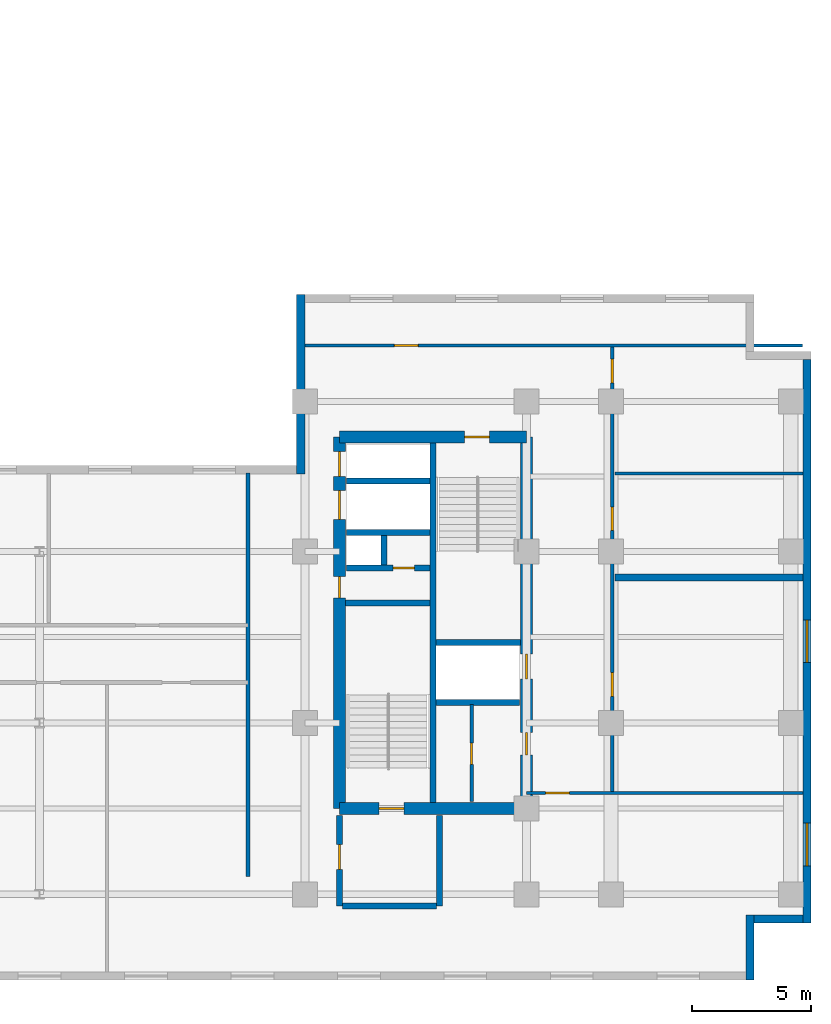
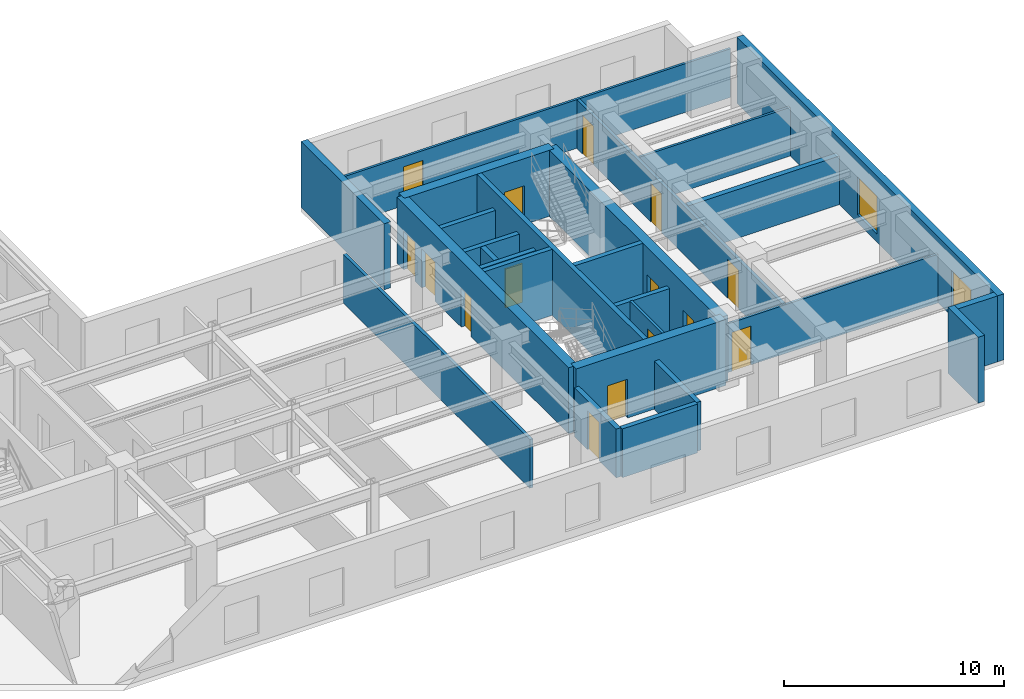
# One storey, part 5 of 10: 26 walls, 15 doors, 2 windows, 17 openings.
"""IFC4 building model written with IfcOpenShell, lengths in metres."""

from ifc_helpers import new_model, entity, si_unit, converted_unit, direction, frame, origin_with_axes, origin_2d_with_axis, place, context, subcontext, project, spatial, polyline, rectangle, outline, extrude, material, layer, layer_set, type_object, element, fill, save


model = new_model("IFC4")

# Units and contexts
model_context = context("Model", 3, precision=1e-05, world=origin_with_axes(), true_north=direction((0.0, 1.0)))
body_context = subcontext(model_context, "Body", "Model", "MODEL_VIEW")
ifc_project = project(units=[si_unit("LENGTHUNIT", "METRE"), si_unit("AREAUNIT", "SQUARE_METRE"), si_unit("VOLUMEUNIT", "CUBIC_METRE"), converted_unit("PLANEANGLEUNIT", "DEGREE", entity("IfcPlaneAngleMeasure", 0.017453292519943295), si_unit("PLANEANGLEUNIT", "RADIAN"), dimensions=[0, 0, 0, 0, 0, 0, 0]), si_unit("MASSUNIT", "GRAM", prefix="KILO"), si_unit("THERMODYNAMICTEMPERATUREUNIT", "KELVIN")], contexts=[model_context])

# Site, building, storey
site_placement = place(None, origin_with_axes())
site = spatial("IfcSite", under=ifc_project, at=site_placement, CompositionType="ELEMENT")
building_placement = place(site_placement, origin_with_axes())
building = spatial("IfcBuilding", under=site, at=building_placement, Name="Varnlund Millrace Tower", CompositionType="ELEMENT")
storey_placement = place(building_placement, frame((0.0, 0.0, 156.3), z_axis=(0.0, 0.0, 1.0), x_axis=(1.0, 0.0, 0.0)))
storey = spatial("IfcBuildingStorey", under=building, at=storey_placement, Name="L38", CompositionType="ELEMENT", Elevation=156.3)

# Wall, openings, doors
ifc_material_1 = material(Name="Concrete C70/85", Category="concrete")
ifc_layer_1 = layer(ifc_material_1, 0.5, Name="Concrete C70/85")
ifc_layer_set_1 = layer_set([ifc_layer_1], Name="Concrete C70/85")
wall_type_1 = type_object("IfcWallType", Name="Type-CoreWall-Shear-500-C70", PredefinedType="SHEAR", material=ifc_layer_set_1)
wall_1_placement = place(storey_placement, frame((40.2, 7.2, 0.0), z_axis=(0.0, 0.0, 1.0), x_axis=(0.0, 1.0, 0.0)))
wall_1 = element("IfcWall", 1, at=wall_1_placement, inside=storey, type_object=wall_type_1, Name="Type-CoreWall-Shear-500-C70", PredefinedType="SHEAR", context=body_context, shape_type="SweptSolid", body=[
    extrude(outline(polyline([(0.0, -0.25), (15.6, -0.25), (15.6, 0.25), (0.0, 0.25), (0.0, -0.25)])), origin_with_axes(), (0.0, 0.0, 1.0), 3.66),
])
opening_1_placement = place(wall_1_placement, frame((14.475, 0.0, 0.0), z_axis=(0.0, 0.0, 1.0), x_axis=(1.0, 0.0, 0.0)))
opening_1 = element("IfcOpeningElement", 2, at=opening_1_placement, cuts=wall_1, Name="Opening L38:LD-ELV-M4", PredefinedType="OPENING", context=body_context, shape_type="SweptSolid", body=[
    extrude(rectangle(XDim=1.05, YDim=0.52, at=origin_2d_with_axis()), origin_with_axes(), (0.0, 0.0, 1.0), 2.15),
])
opening_2_placement = place(wall_1_placement, frame((12.75, 0.0, 0.0), z_axis=(0.0, 0.0, 1.0), x_axis=(1.0, 0.0, 0.0)))
opening_2 = element("IfcOpeningElement", 3, at=opening_2_placement, cuts=wall_1, Name="Opening L38:LD-SRV2", PredefinedType="OPENING", context=body_context, shape_type="SweptSolid", body=[
    extrude(rectangle(XDim=1.2, YDim=0.52, at=origin_2d_with_axis()), origin_with_axes(), (0.0, 0.0, 1.0), 2.15),
])
opening_3_placement = place(wall_1_placement, frame((9.3, 0.0, 0.0), z_axis=(0.0, 0.0, 1.0), x_axis=(1.0, 0.0, 0.0)))
opening_3 = element("IfcOpeningElement", 4, at=opening_3_placement, cuts=wall_1, Name="Opening L38:DR-CB-JAN", PredefinedType="OPENING", context=body_context, shape_type="SweptSolid", body=[
    extrude(rectangle(XDim=0.9, YDim=0.52, at=origin_2d_with_axis()), origin_with_axes(), (0.0, 0.0, 1.0), 2.15),
])
ifc_material_2 = material(Name="Fire-rated hollow steel service closet door", Category="steel")
door_type_1 = type_object("IfcDoorType", Name="Type-FireDoor-Closet-900X2150", OperationType="NOTDEFINED", PredefinedType="DOOR", material=ifc_material_2)
door_1_placement = place(wall_1_placement, frame((9.3, 0.0, 0.0), z_axis=(0.0, 0.0, 1.0), x_axis=(1.0, 0.0, 0.0)))
door_1 = element("IfcDoor", 5, at=door_1_placement, inside=storey, type_object=door_type_1, Name="Type-FireDoor-Closet-900X2150", OperationType="SINGLE_SWING_RIGHT", OverallHeight=2.15, OverallWidth=0.9, PredefinedType="DOOR", context=body_context, shape_type="SweptSolid", body=[
    extrude(rectangle(XDim=0.9, YDim=0.09, at=origin_2d_with_axis()), origin_with_axes(), (0.0, 0.0, 1.0), 2.15),
])
fill(opening_3, door_1)
ifc_material_3 = material(Name="Architectural bronze sliding landing door")
door_type_2 = type_object("IfcDoorType", Name="Type-LiftLandingDoor-Compact-1050X2150", OperationType="NOTDEFINED", PredefinedType="DOOR", material=ifc_material_3)
door_2_placement = place(wall_1_placement, frame((14.475, 0.0, 0.0), z_axis=(0.0, 0.0, 1.0), x_axis=(1.0, 0.0, 0.0)))
door_2 = element("IfcDoor", 6, at=door_2_placement, inside=storey, type_object=door_type_2, Name="Type-LiftLandingDoor-Compact-1050X2150", OperationType="SLIDING_TO_RIGHT", OverallHeight=2.15, OverallWidth=1.05, PredefinedType="DOOR", context=body_context, shape_type="SweptSolid", body=[
    extrude(rectangle(XDim=1.05, YDim=0.09, at=origin_2d_with_axis()), origin_with_axes(), (0.0, 0.0, 1.0), 2.15),
])
fill(opening_1, door_2)
ifc_material_4 = material(Name="Heavy-duty freight sliding landing door")
door_type_3 = type_object("IfcDoorType", Name="Type-LiftLandingDoor-Service-1200X2150", OperationType="NOTDEFINED", PredefinedType="DOOR", material=ifc_material_4)
door_3_placement = place(wall_1_placement, frame((12.75, 0.0, 0.0), z_axis=(0.0, 0.0, 1.0), x_axis=(1.0, 0.0, 0.0)))
door_3 = element("IfcDoor", 7, at=door_3_placement, inside=storey, type_object=door_type_3, Name="Type-LiftLandingDoor-Service-1200X2150", OperationType="DOUBLE_DOOR_SLIDING", OverallHeight=2.15, OverallWidth=1.2, PredefinedType="DOOR", context=body_context, shape_type="SweptSolid", body=[
    extrude(rectangle(XDim=1.2, YDim=0.09, at=origin_2d_with_axis()), origin_with_axes(), (0.0, 0.0, 1.0), 2.15),
])
fill(opening_2, door_3)

# Wall, opening, door
wall_2_placement = place(storey_placement, frame((40.2, 7.2, 0.0), z_axis=(0.0, 0.0, 1.0), x_axis=(1.0, 0.0, 0.0)))
wall_2 = element("IfcWall", 8, at=wall_2_placement, inside=storey, type_object=wall_type_1, Name="Type-CoreWall-Shear-500-C70", PredefinedType="SHEAR", context=body_context, shape_type="SweptSolid", body=[
    extrude(outline(polyline([(0.0, -0.25), (7.85, -0.25), (7.85, 0.25), (0.0, 0.25), (0.0, -0.25)])), origin_with_axes(), (0.0, 0.0, 1.0), 3.66),
])
opening_4_placement = place(wall_2_placement, frame((2.175, 0.0, 0.0), z_axis=(0.0, 0.0, 1.0), x_axis=(1.0, 0.0, 0.0)))
opening_4 = element("IfcOpeningElement", 9, at=opening_4_placement, cuts=wall_2, Name="Opening L38:DR-STB1", PredefinedType="OPENING", context=body_context, shape_type="SweptSolid", body=[
    extrude(rectangle(XDim=1.05, YDim=0.52, at=origin_2d_with_axis()), origin_with_axes(), (0.0, 0.0, 1.0), 2.15),
])
ifc_material_5 = material(Name="Fire-rated hollow steel door", Category="steel")
door_type_4 = type_object("IfcDoorType", Name="Type-FireDoor-Stair-1050X2150", OperationType="NOTDEFINED", PredefinedType="DOOR", material=ifc_material_5)
door_4_placement = place(wall_2_placement, frame((2.175, 0.0, 0.0), z_axis=(0.0, 0.0, 1.0), x_axis=(1.0, 0.0, 0.0)))
door_4 = element("IfcDoor", 10, at=door_4_placement, inside=storey, type_object=door_type_4, Name="Type-FireDoor-Stair-1050X2150", OperationType="SINGLE_SWING_LEFT", OverallHeight=2.15, OverallWidth=1.05, PredefinedType="DOOR", context=body_context, shape_type="SweptSolid", body=[
    extrude(rectangle(XDim=1.05, YDim=0.09, at=origin_2d_with_axis()), origin_with_axes(), (0.0, 0.0, 1.0), 2.15),
])
fill(opening_4, door_4)

wall_3_placement = place(storey_placement, frame((40.2, 22.8, 0.0), z_axis=(0.0, 0.0, 1.0), x_axis=(1.0, 0.0, 0.0)))
wall_3 = element("IfcWall", 11, at=wall_3_placement, inside=storey, type_object=wall_type_1, Name="Type-CoreWall-Shear-500-C70", PredefinedType="SHEAR", context=body_context, shape_type="SweptSolid", body=[
    extrude(outline(polyline([(0.0, -0.25), (7.85, -0.25), (7.85, 0.25), (0.0, 0.25), (0.0, -0.25)])), origin_with_axes(), (0.0, 0.0, 1.0), 3.66),
])
opening_5_placement = place(wall_3_placement, frame((5.775, 0.0, 0.0), z_axis=(0.0, 0.0, 1.0), x_axis=(1.0, 0.0, 0.0)))
opening_5 = element("IfcOpeningElement", 12, at=opening_5_placement, cuts=wall_3, Name="Opening L38:DR-STB2", PredefinedType="OPENING", context=body_context, shape_type="SweptSolid", body=[
    extrude(rectangle(XDim=1.05, YDim=0.52, at=origin_2d_with_axis()), origin_with_axes(), (0.0, 0.0, 1.0), 2.15),
])
door_5_placement = place(wall_3_placement, frame((5.775, 0.0, 0.0), z_axis=(0.0, 0.0, 1.0), x_axis=(1.0, 0.0, 0.0)))
door_5 = element("IfcDoor", 13, at=door_5_placement, inside=storey, type_object=door_type_4, Name="Type-FireDoor-Stair-1050X2150", OperationType="SINGLE_SWING_RIGHT", OverallHeight=2.15, OverallWidth=1.05, PredefinedType="DOOR", context=body_context, shape_type="SweptSolid", body=[
    extrude(rectangle(XDim=1.05, YDim=0.09, at=origin_2d_with_axis()), origin_with_axes(), (0.0, 0.0, 1.0), 2.15),
])
fill(opening_5, door_5)

# Wall, openings, doors
wall_4_placement = place(storey_placement, frame((48.05, 7.2, 0.0), z_axis=(0.0, 0.0, 1.0), x_axis=(0.0, 1.0, 0.0)))
wall_4 = element("IfcWall", 14, at=wall_4_placement, inside=storey, type_object=wall_type_1, Name="Type-CoreWall-Shear-500-C70", PredefinedType="SHEAR", context=body_context, shape_type="SweptSolid", body=[
    extrude(outline(polyline([(0.0, -0.25), (15.6, -0.25), (15.6, 0.25), (0.0, 0.25), (0.0, -0.25)])), origin_with_axes(), (0.0, 0.0, 1.0), 3.66),
])
opening_6_placement = place(wall_4_placement, frame((5.975, 0.0, 0.0), z_axis=(0.0, 0.0, 1.0), x_axis=(1.0, 0.0, 0.0)))
opening_6 = element("IfcOpeningElement", 15, at=opening_6_placement, cuts=wall_4, Name="Opening L38:LD-ELV-M3", PredefinedType="OPENING", context=body_context, shape_type="SweptSolid", body=[
    extrude(rectangle(XDim=1.05, YDim=0.52, at=origin_2d_with_axis()), origin_with_axes(), (0.0, 0.0, 1.0), 2.15),
])
opening_7_placement = place(wall_4_placement, frame((2.725, 0.0, 0.0), z_axis=(0.0, 0.0, 1.0), x_axis=(1.0, 0.0, 0.0)))
opening_7 = element("IfcOpeningElement", 16, at=opening_7_placement, cuts=wall_4, Name="Opening L38:DR-CB-WC2", PredefinedType="OPENING", context=body_context, shape_type="SweptSolid", body=[
    extrude(rectangle(XDim=0.95, YDim=0.52, at=origin_2d_with_axis()), origin_with_axes(), (0.0, 0.0, 1.0), 2.15),
])
ifc_material_6 = material(Name="Fire-rated hollow steel core service door", Category="steel")
door_type_5 = type_object("IfcDoorType", Name="Type-FireDoor-Service-950X2150", OperationType="NOTDEFINED", PredefinedType="DOOR", material=ifc_material_6)
door_6_placement = place(wall_4_placement, frame((2.725, 0.0, 0.0), z_axis=(0.0, 0.0, 1.0), x_axis=(1.0, 0.0, 0.0)))
door_6 = element("IfcDoor", 17, at=door_6_placement, inside=storey, type_object=door_type_5, Name="Type-FireDoor-Service-950X2150", OperationType="SINGLE_SWING_LEFT", OverallHeight=2.15, OverallWidth=0.95, PredefinedType="DOOR", context=body_context, shape_type="SweptSolid", body=[
    extrude(rectangle(XDim=0.95, YDim=0.09, at=origin_2d_with_axis()), origin_with_axes(), (0.0, 0.0, 1.0), 2.15),
])
fill(opening_7, door_6)
door_7_placement = place(wall_4_placement, frame((5.975, 0.0, 0.0), z_axis=(0.0, 0.0, 1.0), x_axis=(1.0, 0.0, 0.0)))
door_7 = element("IfcDoor", 18, at=door_7_placement, inside=storey, type_object=door_type_2, Name="Type-LiftLandingDoor-Compact-1050X2150", OperationType="SLIDING_TO_LEFT", OverallHeight=2.15, OverallWidth=1.05, PredefinedType="DOOR", context=body_context, shape_type="SweptSolid", body=[
    extrude(rectangle(XDim=1.05, YDim=0.09, at=origin_2d_with_axis()), origin_with_axes(), (0.0, 0.0, 1.0), 2.15),
])
fill(opening_6, door_7)

# Wall
ifc_material_7 = material(Name="Precast concrete C50/60", Category="concrete")
ifc_layer_2 = layer(ifc_material_7, 0.34, Name="Precast concrete C50/60")
ifc_layer_set_2 = layer_set([ifc_layer_2], Name="Precast concrete C50/60")
wall_type_2 = type_object("IfcWallType", Name="Type-ExtWall-Precast-Upper-340", PredefinedType="SOLIDWALL", material=ifc_layer_set_2)
wall_5_placement = place(storey_placement, frame((38.57, 21.26, 0.0), z_axis=(0.0, 0.0, 1.0), x_axis=(0.0, 1.0, 0.0)))
element("IfcWall", 19, at=wall_5_placement, inside=storey, type_object=wall_type_2, Name="Type-ExtWall-Precast-Upper-340", PredefinedType="SOLIDWALL", context=body_context, shape_type="SweptSolid", body=[
    extrude(outline(polyline([(0.0, -0.17), (7.54, -0.17), (7.54, 0.17), (0.0, 0.17), (0.0, -0.17)])), origin_with_axes(), (0.0, 0.0, 1.0), 3.66),
])

# Wall, openings, windows
wall_6_placement = place(storey_placement, frame((59.83, 26.06, 0.0), z_axis=(0.0, 0.0, 1.0), x_axis=(0.0, -1.0, 0.0)))
wall_6 = element("IfcWall", 20, at=wall_6_placement, inside=storey, type_object=wall_type_2, Name="Type-ExtWall-Precast-Upper-340", PredefinedType="SOLIDWALL", context=body_context, shape_type="SweptSolid", body=[
    extrude(outline(polyline([(0.0, -0.17), (23.66, -0.17), (23.66, 0.17), (0.0, 0.17), (0.0, -0.17)])), origin_with_axes(), (0.0, 0.0, 1.0), 3.66),
])
opening_8_placement = place(wall_6_placement, frame((11.83, 0.0, 0.45), z_axis=(0.0, 0.0, 1.0), x_axis=(1.0, 0.0, 0.0)))
opening_8 = element("IfcOpeningElement", 21, at=opening_8_placement, cuts=wall_6, Name="Opening L38:WN-05", PredefinedType="OPENING", context=body_context, shape_type="SweptSolid", body=[
    extrude(rectangle(XDim=1.8, YDim=0.36, at=origin_2d_with_axis()), origin_with_axes(), (0.0, 0.0, 1.0), 2.1),
])
opening_9_placement = place(wall_6_placement, frame((20.364, 0.0, 0.45), z_axis=(0.0, 0.0, 1.0), x_axis=(1.0, 0.0, 0.0)))
opening_9 = element("IfcOpeningElement", 22, at=opening_9_placement, cuts=wall_6, Name="Opening L38:WN-06", PredefinedType="OPENING", context=body_context, shape_type="SweptSolid", body=[
    extrude(rectangle(XDim=1.8, YDim=0.36, at=origin_2d_with_axis()), origin_with_axes(), (0.0, 0.0, 1.0), 2.1),
])
ifc_material_8 = material(Name="Argon low-e triple glazing in thermally broken bronze frame", Category="glass")
window_type = type_object("IfcWindowType", Name="Type-Window-Punched-1800X2100", PartitioningType="SINGLE_PANEL", PredefinedType="WINDOW", material=ifc_material_8)
window_1_placement = place(wall_6_placement, frame((11.83, 0.0, 0.45), z_axis=(0.0, 0.0, 1.0), x_axis=(1.0, 0.0, 0.0)))
window_1 = element("IfcWindow", 23, at=window_1_placement, inside=storey, type_object=window_type, Name="Type-Window-Punched-1800X2100", OverallHeight=2.1, OverallWidth=1.8, PredefinedType="WINDOW", context=body_context, shape_type="SweptSolid", body=[
    extrude(rectangle(XDim=1.8, YDim=0.09, at=origin_2d_with_axis()), origin_with_axes(), (0.0, 0.0, 1.0), 2.1),
])
fill(opening_8, window_1)
window_2_placement = place(wall_6_placement, frame((20.364, 0.0, 0.45), z_axis=(0.0, 0.0, 1.0), x_axis=(1.0, 0.0, 0.0)))
window_2 = element("IfcWindow", 24, at=window_2_placement, inside=storey, type_object=window_type, Name="Type-Window-Punched-1800X2100", OverallHeight=2.1, OverallWidth=1.8, PredefinedType="WINDOW", context=body_context, shape_type="SweptSolid", body=[
    extrude(rectangle(XDim=1.8, YDim=0.09, at=origin_2d_with_axis()), origin_with_axes(), (0.0, 0.0, 1.0), 2.1),
])
fill(opening_9, window_2)

# Walls
wall_7_placement = place(storey_placement, frame((59.66, 2.57, 0.0), z_axis=(0.0, 0.0, 1.0), x_axis=(-1.0, 0.0, 0.0)))
element("IfcWall", 25, at=wall_7_placement, inside=storey, type_object=wall_type_2, Name="Type-ExtWall-Precast-Upper-340", PredefinedType="SOLIDWALL", context=body_context, shape_type="SweptSolid", body=[
    extrude(outline(polyline([(0.0, -0.17), (2.06, -0.17), (2.06, 0.17), (0.0, 0.17), (0.0, -0.17)])), origin_with_axes(), (0.0, 0.0, 1.0), 3.66),
])
wall_8_placement = place(storey_placement, frame((57.43, 2.74, 0.0), z_axis=(0.0, 0.0, 1.0), x_axis=(0.0, -1.0, 0.0)))
element("IfcWall", 26, at=wall_8_placement, inside=storey, type_object=wall_type_2, Name="Type-ExtWall-Precast-Upper-340", PredefinedType="SOLIDWALL", context=body_context, shape_type="SweptSolid", body=[
    extrude(outline(polyline([(0.0, -0.17), (2.74, -0.17), (2.74, 0.17), (0.0, 0.17), (0.0, -0.17)])), origin_with_axes(), (0.0, 0.0, 1.0), 3.66),
])
ifc_material_9 = material(Name="Double-stud STC-60 conference acoustic partition", Category="gypsum")
ifc_layer_3 = layer(ifc_material_9, 0.28, Name="Double-stud STC-60 conference acoustic partition")
ifc_layer_set_3 = layer_set([ifc_layer_3], Name="Double-stud STC-60 conference acoustic partition")
wall_type_3 = type_object("IfcWallType", Name="Type-Partition-Acoustic-280", PredefinedType="PARTITIONING", material=ifc_layer_set_3)
wall_9_placement = place(storey_placement, frame((51.77, 16.908, 0.0), z_axis=(0.0, 0.0, 1.0), x_axis=(1.0, 0.0, 0.0)))
element("IfcWall", 27, at=wall_9_placement, inside=storey, type_object=wall_type_3, Name="Type-Partition-Acoustic-280", PredefinedType="PARTITIONING", context=body_context, shape_type="SweptSolid", body=[
    extrude(outline(polyline([(0.0, -0.14), (7.895, -0.14), (7.895, 0.14), (0.0, 0.14), (0.0, -0.14)])), origin_with_axes(), (0.0, 0.0, 1.0), 2.7),
])
ifc_material_10 = material(Name="Fire-rated gypsum board on cold-formed steel framing", Category="steel")
ifc_layer_4 = layer(ifc_material_10, 0.16, Name="Fire-rated gypsum board on cold-formed steel framing")
ifc_layer_set_4 = layer_set([ifc_layer_4], Name="Fire-rated gypsum board on cold-formed steel framing")
wall_type_4 = type_object("IfcWallType", Name="Type-Partition-Corridor-160", PredefinedType="PARTITIONING", material=ifc_layer_set_4)
wall_10_placement = place(storey_placement, frame((36.35, 4.35, 0.0), z_axis=(0.0, 0.0, 1.0), x_axis=(0.0, 1.0, 0.0)))
element("IfcWall", 28, at=wall_10_placement, inside=storey, type_object=wall_type_4, Name="Type-Partition-Corridor-160", PredefinedType="PARTITIONING", context=body_context, shape_type="SweptSolid", body=[
    extrude(outline(polyline([(0.0, -0.08), (16.95, -0.08), (16.95, 0.08), (0.0, 0.08), (0.0, -0.08)])), origin_with_axes(), (0.0, 0.0, 1.0), 2.7),
])

# Wall, openings, doors
wall_11_placement = place(storey_placement, frame((51.65, 7.85, 0.0), z_axis=(0.0, 0.0, 1.0), x_axis=(0.0, 1.0, 0.0)))
wall_11 = element("IfcWall", 29, at=wall_11_placement, inside=storey, type_object=wall_type_4, Name="Type-Partition-Corridor-160", PredefinedType="PARTITIONING", context=body_context, shape_type="SweptSolid", body=[
    extrude(outline(polyline([(0.0, -0.08), (18.8, -0.08), (18.8, 0.08), (0.0, 0.08), (0.0, -0.08)])), origin_with_axes(), (0.0, 0.0, 1.0), 2.7),
])
opening_10_placement = place(wall_11_placement, frame((4.559, 0.0, 0.0), z_axis=(0.0, 0.0, 1.0), x_axis=(1.0, 0.0, 0.0)))
opening_10 = element("IfcOpeningElement", 30, at=opening_10_placement, cuts=wall_11, Name="Opening L38:DR-WB-01", PredefinedType="OPENING", context=body_context, shape_type="SweptSolid", body=[
    extrude(rectangle(XDim=1.0, YDim=0.18, at=origin_2d_with_axis()), origin_with_axes(), (0.0, 0.0, 1.0), 2.15),
])
opening_11_placement = place(wall_11_placement, frame((11.523, 0.0, 0.0), z_axis=(0.0, 0.0, 1.0), x_axis=(1.0, 0.0, 0.0)))
opening_11 = element("IfcOpeningElement", 31, at=opening_11_placement, cuts=wall_11, Name="Opening L38:DR-WB-02", PredefinedType="OPENING", context=body_context, shape_type="SweptSolid", body=[
    extrude(rectangle(XDim=1.0, YDim=0.18, at=origin_2d_with_axis()), origin_with_axes(), (0.0, 0.0, 1.0), 2.15),
])
opening_12_placement = place(wall_11_placement, frame((17.733, 0.0, 0.0), z_axis=(0.0, 0.0, 1.0), x_axis=(1.0, 0.0, 0.0)))
opening_12 = element("IfcOpeningElement", 32, at=opening_12_placement, cuts=wall_11, Name="Opening L38:DR-WB-03", PredefinedType="OPENING", context=body_context, shape_type="SweptSolid", body=[
    extrude(rectangle(XDim=1.0, YDim=0.18, at=origin_2d_with_axis()), origin_with_axes(), (0.0, 0.0, 1.0), 2.15),
])
ifc_material_11 = material(Name="Solid-core white oak and bronze frame door")
door_type_6 = type_object("IfcDoorType", Name="Type-IntDoor-Office-1000X2150", OperationType="NOTDEFINED", PredefinedType="DOOR", material=ifc_material_11)
door_8_placement = place(wall_11_placement, frame((4.559, 0.0, 0.0), z_axis=(0.0, 0.0, 1.0), x_axis=(1.0, 0.0, 0.0)))
door_8 = element("IfcDoor", 33, at=door_8_placement, inside=storey, type_object=door_type_6, Name="Type-IntDoor-Office-1000X2150", OperationType="SINGLE_SWING_LEFT", OverallHeight=2.15, OverallWidth=1.0, PredefinedType="DOOR", context=body_context, shape_type="SweptSolid", body=[
    extrude(rectangle(XDim=1.0, YDim=0.09, at=origin_2d_with_axis()), origin_with_axes(), (0.0, 0.0, 1.0), 2.15),
])
fill(opening_10, door_8)
door_9_placement = place(wall_11_placement, frame((11.523, 0.0, 0.0), z_axis=(0.0, 0.0, 1.0), x_axis=(1.0, 0.0, 0.0)))
door_9 = element("IfcDoor", 34, at=door_9_placement, inside=storey, type_object=door_type_6, Name="Type-IntDoor-Office-1000X2150", OperationType="SINGLE_SWING_RIGHT", OverallHeight=2.15, OverallWidth=1.0, PredefinedType="DOOR", context=body_context, shape_type="SweptSolid", body=[
    extrude(rectangle(XDim=1.0, YDim=0.09, at=origin_2d_with_axis()), origin_with_axes(), (0.0, 0.0, 1.0), 2.15),
])
fill(opening_11, door_9)
door_10_placement = place(wall_11_placement, frame((17.733, 0.0, 0.0), z_axis=(0.0, 0.0, 1.0), x_axis=(1.0, 0.0, 0.0)))
door_10 = element("IfcDoor", 35, at=door_10_placement, inside=storey, type_object=door_type_6, Name="Type-IntDoor-Office-1000X2150", OperationType="SINGLE_SWING_LEFT", OverallHeight=2.15, OverallWidth=1.0, PredefinedType="DOOR", context=body_context, shape_type="SweptSolid", body=[
    extrude(rectangle(XDim=1.0, YDim=0.09, at=origin_2d_with_axis()), origin_with_axes(), (0.0, 0.0, 1.0), 2.15),
])
fill(opening_12, door_10)

# Wall, opening, door
ifc_material_12 = material(Name="Gypsum board tenant partition", Category="gypsum")
ifc_layer_5 = layer(ifc_material_12, 0.125, Name="Gypsum board tenant partition")
ifc_layer_set_5 = layer_set([ifc_layer_5], Name="Gypsum board tenant partition")
wall_type_5 = type_object("IfcWallType", Name="Type-Partition-Tenant-125", PredefinedType="PARTITIONING", material=ifc_layer_set_5)
wall_12_placement = place(storey_placement, frame((59.665, 7.85, 0.0), z_axis=(0.0, 0.0, 1.0), x_axis=(-1.0, 0.0, 0.0)))
wall_12 = element("IfcWall", 36, at=wall_12_placement, inside=storey, type_object=wall_type_5, Name="Type-Partition-Tenant-125", PredefinedType="PARTITIONING", context=body_context, shape_type="SweptSolid", body=[
    extrude(outline(polyline([(0.0, -0.0625), (11.615, -0.0625), (11.615, 0.0625), (0.0, 0.0625), (0.0, -0.0625)])), origin_with_axes(), (0.0, 0.0, 1.0), 2.7),
])
opening_13_placement = place(wall_12_placement, frame((10.315, 0.0, 0.0), z_axis=(0.0, 0.0, 1.0), x_axis=(1.0, 0.0, 0.0)))
opening_13 = element("IfcOpeningElement", 37, at=opening_13_placement, cuts=wall_12, Name="Opening L38:DR-WBS-01", PredefinedType="OPENING", context=body_context, shape_type="SweptSolid", body=[
    extrude(rectangle(XDim=1.0, YDim=0.145, at=origin_2d_with_axis()), origin_with_axes(), (0.0, 0.0, 1.0), 2.15),
])
door_11_placement = place(wall_12_placement, frame((10.315, 0.0, 0.0), z_axis=(0.0, 0.0, 1.0), x_axis=(1.0, 0.0, 0.0)))
door_11 = element("IfcDoor", 38, at=door_11_placement, inside=storey, type_object=door_type_6, Name="Type-IntDoor-Office-1000X2150", OperationType="SINGLE_SWING_LEFT", OverallHeight=2.15, OverallWidth=1.0, PredefinedType="DOOR", context=body_context, shape_type="SweptSolid", body=[
    extrude(rectangle(XDim=1.0, YDim=0.075, at=origin_2d_with_axis()), origin_with_axes(), (0.0, 0.0, 1.0), 2.15),
])
fill(opening_13, door_11)

wall_13_placement = place(storey_placement, frame((38.735, 26.65, 0.0), z_axis=(0.0, 0.0, 1.0), x_axis=(1.0, 0.0, 0.0)))
wall_13 = element("IfcWall", 39, at=wall_13_placement, inside=storey, type_object=wall_type_5, Name="Type-Partition-Tenant-125", PredefinedType="PARTITIONING", context=body_context, shape_type="SweptSolid", body=[
    extrude(outline(polyline([(0.0, -0.0625), (20.905, -0.0625), (20.905, 0.0625), (0.0, 0.0625), (0.0, -0.0625)])), origin_with_axes(), (0.0, 0.0, 1.0), 2.7),
])
opening_14_placement = place(wall_13_placement, frame((4.265, 0.0, 0.0), z_axis=(0.0, 0.0, 1.0), x_axis=(1.0, 0.0, 0.0)))
opening_14 = element("IfcOpeningElement", 40, at=opening_14_placement, cuts=wall_13, Name="Opening L38:DR-WBN-01", PredefinedType="OPENING", context=body_context, shape_type="SweptSolid", body=[
    extrude(rectangle(XDim=1.0, YDim=0.145, at=origin_2d_with_axis()), origin_with_axes(), (0.0, 0.0, 1.0), 2.15),
])
door_12_placement = place(wall_13_placement, frame((4.265, 0.0, 0.0), z_axis=(0.0, 0.0, 1.0), x_axis=(1.0, 0.0, 0.0)))
door_12 = element("IfcDoor", 41, at=door_12_placement, inside=storey, type_object=door_type_6, Name="Type-IntDoor-Office-1000X2150", OperationType="SINGLE_SWING_RIGHT", OverallHeight=2.15, OverallWidth=1.0, PredefinedType="DOOR", context=body_context, shape_type="SweptSolid", body=[
    extrude(rectangle(XDim=1.0, YDim=0.075, at=origin_2d_with_axis()), origin_with_axes(), (0.0, 0.0, 1.0), 2.15),
])
fill(opening_14, door_12)

# Wall
wall_14_placement = place(storey_placement, frame((51.77, 21.277, 0.0), z_axis=(0.0, 0.0, 1.0), x_axis=(1.0, 0.0, 0.0)))
element("IfcWall", 42, at=wall_14_placement, inside=storey, type_object=wall_type_5, Name="Type-Partition-Tenant-125", PredefinedType="PARTITIONING", context=body_context, shape_type="SweptSolid", body=[
    extrude(outline(polyline([(0.0, -0.0625), (7.895, -0.0625), (7.895, 0.0625), (0.0, 0.0625), (0.0, -0.0625)])), origin_with_axes(), (0.0, 0.0, 1.0), 2.7),
])

# Wall, opening, door
ifc_material_13 = material(Name="Moisture-resistant gypsum restroom partition", Category="gypsum")
ifc_layer_6 = layer(ifc_material_13, 0.14, Name="Moisture-resistant gypsum restroom partition")
ifc_layer_set_6 = layer_set([ifc_layer_6], Name="Moisture-resistant gypsum restroom partition")
wall_type_6 = type_object("IfcWallType", Name="Type-Partition-Wet-140", PredefinedType="PARTITIONING", material=ifc_layer_set_6)
wall_15_placement = place(storey_placement, frame((45.75, 7.5, 0.0), z_axis=(0.0, 0.0, 1.0), x_axis=(0.0, 1.0, 0.0)))
wall_15 = element("IfcWall", 43, at=wall_15_placement, inside=storey, type_object=wall_type_6, Name="Type-Partition-Wet-140", PredefinedType="PARTITIONING", context=body_context, shape_type="SweptSolid", body=[
    extrude(outline(polyline([(0.0, -0.07), (4.08, -0.07), (4.08, 0.07), (0.0, 0.07), (0.0, -0.07)])), origin_with_axes(), (0.0, 0.0, 1.0), 2.7),
])
opening_15_placement = place(wall_15_placement, frame((2.0, 0.0, 0.0), z_axis=(0.0, 0.0, 1.0), x_axis=(1.0, 0.0, 0.0)))
opening_15 = element("IfcOpeningElement", 44, at=opening_15_placement, cuts=wall_15, Name="Opening L38:DR-CB-WC1", PredefinedType="OPENING", context=body_context, shape_type="SweptSolid", body=[
    extrude(rectangle(XDim=0.9, YDim=0.16, at=origin_2d_with_axis()), origin_with_axes(), (0.0, 0.0, 1.0), 2.15),
])
ifc_material_14 = material(Name="Painted steel riser and closet door", Category="steel")
door_type_7 = type_object("IfcDoorType", Name="Type-IntDoor-Closet-900X2150", OperationType="NOTDEFINED", PredefinedType="DOOR", material=ifc_material_14)
door_13_placement = place(wall_15_placement, frame((2.0, 0.0, 0.0), z_axis=(0.0, 0.0, 1.0), x_axis=(1.0, 0.0, 0.0)))
door_13 = element("IfcDoor", 45, at=door_13_placement, inside=storey, type_object=door_type_7, Name="Type-IntDoor-Closet-900X2150", OperationType="SINGLE_SWING_LEFT", OverallHeight=2.15, OverallWidth=0.9, PredefinedType="DOOR", context=body_context, shape_type="SweptSolid", body=[
    extrude(rectangle(XDim=0.9, YDim=0.084, at=origin_2d_with_axis()), origin_with_axes(), (0.0, 0.0, 1.0), 2.15),
])
fill(opening_15, door_13)

ifc_material_15 = material(Name="Concrete C60/75", Category="concrete")
ifc_layer_7 = layer(ifc_material_15, 0.25, Name="Concrete C60/75")
ifc_layer_set_7 = layer_set([ifc_layer_7], Name="Concrete C60/75")
wall_type_7 = type_object("IfcWallType", Name="Type-ShaftWall-Fire-250", PredefinedType="SOLIDWALL", material=ifc_layer_set_7)
wall_16_placement = place(storey_placement, frame((40.5, 17.3, 0.0), z_axis=(0.0, 0.0, 1.0), x_axis=(1.0, 0.0, 0.0)))
wall_16 = element("IfcWall", 46, at=wall_16_placement, inside=storey, type_object=wall_type_7, Name="Type-ShaftWall-Fire-250", PredefinedType="SOLIDWALL", context=body_context, shape_type="SweptSolid", body=[
    extrude(outline(polyline([(0.0, -0.125), (3.5, -0.125), (3.5, 0.125), (0.0, 0.125), (0.0, -0.125)])), origin_with_axes(), (0.0, 0.0, 1.0), 2.7),
])
opening_16_placement = place(wall_16_placement, frame((2.4, 0.0, 0.0), z_axis=(0.0, 0.0, 1.0), x_axis=(1.0, 0.0, 0.0)))
opening_16 = element("IfcOpeningElement", 47, at=opening_16_placement, cuts=wall_16, Name="Opening L38:DR-CB-ELC", PredefinedType="OPENING", context=body_context, shape_type="SweptSolid", body=[
    extrude(rectangle(XDim=0.9, YDim=0.27, at=origin_2d_with_axis()), origin_with_axes(), (0.0, 0.0, 1.0), 2.15),
])
door_14_placement = place(wall_16_placement, frame((2.4, 0.0, 0.0), z_axis=(0.0, 0.0, 1.0), x_axis=(1.0, 0.0, 0.0)))
door_14 = element("IfcDoor", 48, at=door_14_placement, inside=storey, type_object=door_type_1, Name="Type-FireDoor-Closet-900X2150", OperationType="SINGLE_SWING_LEFT", OverallHeight=2.15, OverallWidth=0.9, PredefinedType="DOOR", context=body_context, shape_type="SweptSolid", body=[
    extrude(rectangle(XDim=0.9, YDim=0.09, at=origin_2d_with_axis()), origin_with_axes(), (0.0, 0.0, 1.0), 2.15),
])
fill(opening_16, door_14)

# Walls
wall_17_placement = place(storey_placement, frame((40.5, 18.8, 0.0), z_axis=(0.0, 0.0, 1.0), x_axis=(1.0, 0.0, 0.0)))
element("IfcWall", 49, at=wall_17_placement, inside=storey, type_object=wall_type_7, Name="Type-ShaftWall-Fire-250", PredefinedType="SOLIDWALL", context=body_context, shape_type="SweptSolid", body=[
    extrude(outline(polyline([(0.0, -0.125), (3.5, -0.125), (3.5, 0.125), (0.0, 0.125), (0.0, -0.125)])), origin_with_axes(), (0.0, 0.0, 1.0), 2.7),
])
wall_18_placement = place(storey_placement, frame((42.075, 17.43, 0.0), z_axis=(0.0, 0.0, 1.0), x_axis=(0.0, 1.0, 0.0)))
element("IfcWall", 50, at=wall_18_placement, inside=storey, type_object=wall_type_7, Name="Type-ShaftWall-Fire-250", PredefinedType="SOLIDWALL", context=body_context, shape_type="SweptSolid", body=[
    extrude(outline(polyline([(0.0, -0.125), (1.24, -0.125), (1.24, 0.125), (0.0, 0.125), (0.0, -0.125)])), origin_with_axes(), (0.0, 0.0, 1.0), 2.7),
])

# Wall, opening, door
wall_19_placement = place(storey_placement, frame((40.2, 3.1, 0.0), z_axis=(0.0, 0.0, 1.0), x_axis=(0.0, 1.0, 0.0)))
wall_19 = element("IfcWall", 51, at=wall_19_placement, inside=storey, type_object=wall_type_7, Name="Type-ShaftWall-Fire-250", PredefinedType="SOLIDWALL", context=body_context, shape_type="SweptSolid", body=[
    extrude(outline(polyline([(0.0, -0.125), (3.8, -0.125), (3.8, 0.125), (0.0, 0.125), (0.0, -0.125)])), origin_with_axes(), (0.0, 0.0, 1.0), 2.7),
])
opening_17_placement = place(wall_19_placement, frame((2.075, 0.0, 0.0), z_axis=(0.0, 0.0, 1.0), x_axis=(1.0, 0.0, 0.0)))
opening_17 = element("IfcOpeningElement", 52, at=opening_17_placement, cuts=wall_19, Name="Opening L38:DR-FFLOB-B", PredefinedType="OPENING", context=body_context, shape_type="SweptSolid", body=[
    extrude(rectangle(XDim=1.05, YDim=0.27, at=origin_2d_with_axis()), origin_with_axes(), (0.0, 0.0, 1.0), 2.15),
])
ifc_material_16 = material(Name="Smoke-barrier hollow steel fire door", Category="steel")
door_type_8 = type_object("IfcDoorType", Name="Type-FireDoor-Lobby-1050X2150", OperationType="NOTDEFINED", PredefinedType="DOOR", material=ifc_material_16)
door_15_placement = place(wall_19_placement, frame((2.075, 0.0, 0.0), z_axis=(0.0, 0.0, 1.0), x_axis=(1.0, 0.0, 0.0)))
door_15 = element("IfcDoor", 53, at=door_15_placement, inside=storey, type_object=door_type_8, Name="Type-FireDoor-Lobby-1050X2150", OperationType="SINGLE_SWING_LEFT", OverallHeight=2.15, OverallWidth=1.05, PredefinedType="DOOR", context=body_context, shape_type="SweptSolid", body=[
    extrude(rectangle(XDim=1.05, YDim=0.09, at=origin_2d_with_axis()), origin_with_axes(), (0.0, 0.0, 1.0), 2.15),
])
fill(opening_17, door_15)

# Walls
wall_20_placement = place(storey_placement, frame((40.325, 3.1, 0.0), z_axis=(0.0, 0.0, 1.0), x_axis=(1.0, 0.0, 0.0)))
element("IfcWall", 54, at=wall_20_placement, inside=storey, type_object=wall_type_7, Name="Type-ShaftWall-Fire-250", PredefinedType="SOLIDWALL", context=body_context, shape_type="SweptSolid", body=[
    extrude(outline(polyline([(0.0, -0.125), (3.95, -0.125), (3.95, 0.125), (0.0, 0.125), (0.0, -0.125)])), origin_with_axes(), (0.0, 0.0, 1.0), 2.7),
])
wall_21_placement = place(storey_placement, frame((44.4, 3.1, 0.0), z_axis=(0.0, 0.0, 1.0), x_axis=(0.0, 1.0, 0.0)))
element("IfcWall", 55, at=wall_21_placement, inside=storey, type_object=wall_type_7, Name="Type-ShaftWall-Fire-250", PredefinedType="SOLIDWALL", context=body_context, shape_type="SweptSolid", body=[
    extrude(outline(polyline([(0.0, -0.125), (3.8, -0.125), (3.8, 0.125), (0.0, 0.125), (0.0, -0.125)])), origin_with_axes(), (0.0, 0.0, 1.0), 2.7),
])
for number, where, z_axis, x_axis, name in (
    (56, (40.5, 20.96, 0.0), (0.0, 0.0, 1.0), (1.0, 0.0, 0.0), "Type-ShaftWall-Fire-250"),
    (57, (44.25, 11.66, 0.0), (0.0, 0.0, 1.0), (1.0, 0.0, 0.0), "Type-ShaftWall-Fire-250"),
):
    element("IfcWall", number, at=place(storey_placement, frame(where, z_axis=z_axis, x_axis=x_axis)), inside=storey, type_object=wall_type_7, Name=name, PredefinedType="SOLIDWALL", context=body_context, shape_type="SweptSolid", body=[
        extrude(outline(polyline([(0.0, -0.125), (3.5, -0.125), (3.5, 0.125), (0.0, 0.125), (0.0, -0.125)])), origin_with_axes(), (0.0, 0.0, 1.0), 2.7),
    ])
wall_type_8 = type_object("IfcWallType", Name="Type-StairWall-Shear-250", PredefinedType="SHEAR", material=ifc_layer_set_7)
wall_22_placement = place(storey_placement, frame((44.125, 7.45, 0.0), z_axis=(0.0, 0.0, 1.0), x_axis=(0.0, 1.0, 0.0)))
element("IfcWall", 58, at=wall_22_placement, inside=storey, type_object=wall_type_8, Name="Type-StairWall-Shear-250", PredefinedType="SHEAR", context=body_context, shape_type="SweptSolid", body=[
    extrude(outline(polyline([(0.0, -0.125), (15.1, -0.125), (15.1, 0.125), (0.0, 0.125), (0.0, -0.125)])), origin_with_axes(), (0.0, 0.0, 1.0), 3.66),
])
for number, where, z_axis, x_axis, name in (
    (59, (40.45, 15.825, 0.0), (0.0, 0.0, 1.0), (1.0, 0.0, 0.0), "Type-StairWall-Shear-250"),
    (60, (44.25, 14.175, 0.0), (0.0, 0.0, 1.0), (1.0, 0.0, 0.0), "Type-StairWall-Shear-250"),
):
    element("IfcWall", number, at=place(storey_placement, frame(where, z_axis=z_axis, x_axis=x_axis)), inside=storey, type_object=wall_type_8, Name=name, PredefinedType="SHEAR", context=body_context, shape_type="SweptSolid", body=[
        extrude(outline(polyline([(0.0, -0.125), (3.55, -0.125), (3.55, 0.125), (0.0, 0.125), (0.0, -0.125)])), origin_with_axes(), (0.0, 0.0, 1.0), 3.66),
    ])

save(model, "model.ifc")
